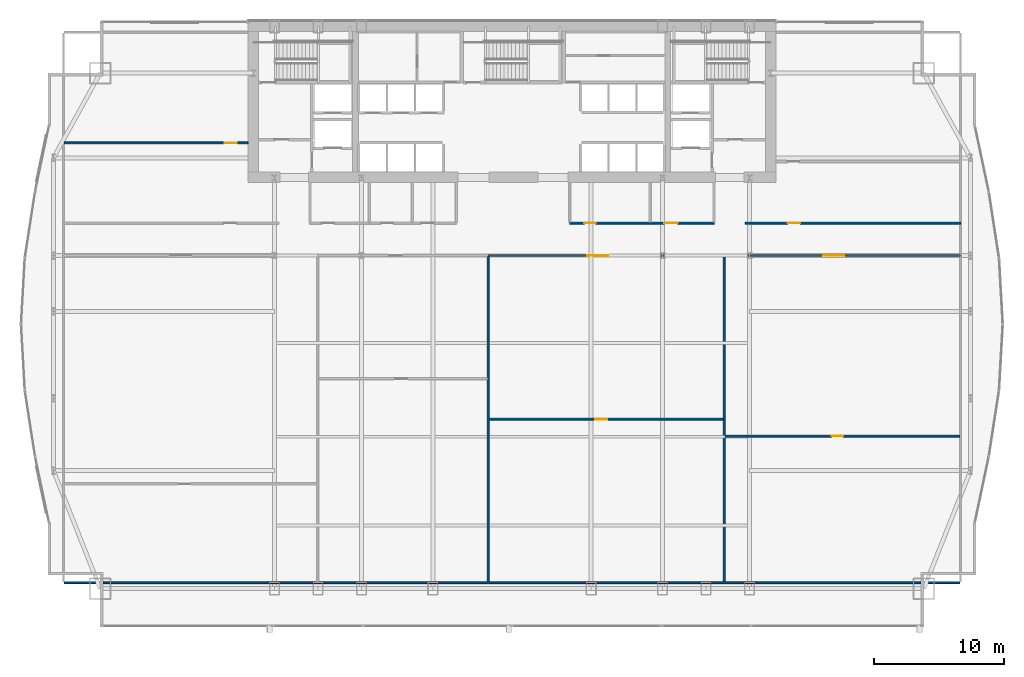
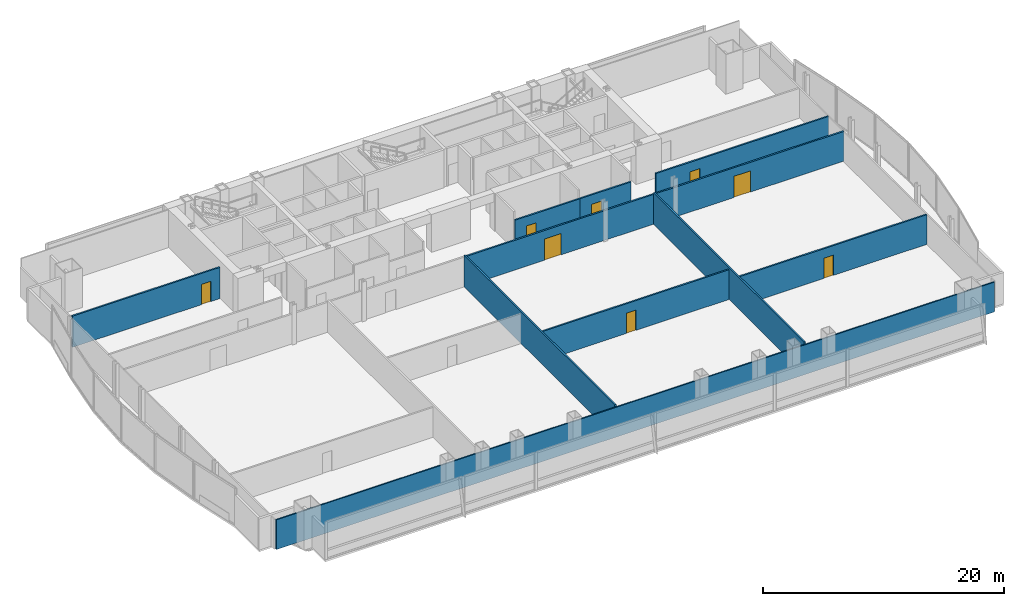
# One storey, part 29 of 35: 11 walls, 8 doors, 8 openings.
"""IFC4 building model written with IfcOpenShell, lengths in metres."""

from ifc_helpers import new_model, si_unit, direction, frame, frame_2d, origin, place, context, subcontext, project, spatial, rectangle, extrude, material, layer, layer_set, type_object, element, fill, save


model = new_model("IFC4")

# Units and contexts
model_context = context("Model", 3, precision=1e-05, world=origin(), true_north=direction((0.0, 1.0)))
body_context = subcontext(model_context, "Body", "Model", "MODEL_VIEW")
ifc_project = project(units=[si_unit("LENGTHUNIT", "METRE"), si_unit("AREAUNIT", "SQUARE_METRE"), si_unit("VOLUMEUNIT", "CUBIC_METRE"), si_unit("PLANEANGLEUNIT", "RADIAN"), si_unit("MASSUNIT", "GRAM", prefix="KILO")], contexts=[model_context])

# Site, building, storey
site_placement = place(None, origin())
site = spatial("IfcSite", under=ifc_project, at=site_placement, CompositionType="ELEMENT")
building_placement = place(site_placement, origin())
building = spatial("IfcBuilding", under=site, at=building_placement, Name="Khoronbel Lancet Exchange", CompositionType="ELEMENT")
storey_placement = place(building_placement, frame((0.0, 0.0, 53.800048828125)))
storey = spatial("IfcBuildingStorey", under=building, at=storey_placement, Name="L12", CompositionType="ELEMENT", Elevation=53.800048828125)

# Wall, opening, door
ifc_material_1 = material(Name="Acoustic Metal-Stud & Mineral-Wool Gypsum Partition 120 mm", Category="gypsum")
ifc_layer_1 = layer(ifc_material_1, 0.1201171875, Name="Acoustic Metal-Stud & Mineral-Wool Gypsum Partition 120 mm")
ifc_layer_set_1 = layer_set([ifc_layer_1], Name="Acoustic Metal-Stud & Mineral-Wool Gypsum Partition 120 mm")
wall_type_1 = type_object("IfcWallType", Name="WL-PRT120", PredefinedType="PARTITIONING", material=ifc_layer_set_1)
wall_1_placement = place(storey_placement, frame((2.094970703125, 44.35009765625, 0.0), z_axis=(0.0, 0.0, 1.0), x_axis=(1.0, 0.0, 0.0)))
wall_1 = element("IfcWall", 1, at=wall_1_placement, inside=storey, type_object=wall_type_1, Name="Level L12 interior partition PW-NW-H", PredefinedType="PARTITIONING", context=body_context, shape_type="SweptSolid", body=[
    extrude(rectangle(XDim=14.10498046875, YDim=0.14990234375, at=frame_2d((7.052490234375, 0.0))), origin(), (0.0, 0.0, 1.0), 3.159912109375),
])
opening_1_placement = place(wall_1_placement, frame((12.320068359375, 0.0, 0.0)))
opening_1 = element("IfcOpeningElement", 2, at=opening_1_placement, cuts=wall_1, Name="Opening D5", PredefinedType="OPENING", context=body_context, shape_type="SweptSolid", body=[
    extrude(rectangle(XDim=0.89990234375, YDim=2.050048828125, at=frame_2d((0.449951171875, 1.02490234375))), frame((0.0, 0.0849609375, 0.0), z_axis=(0.0, -1.0, 0.0), x_axis=(1.0, 0.0, 0.0)), (0.0, 0.0, 1.0), 0.169921875),
])
ifc_material_2 = material(Name="Acoustic Timber Pantry & Support Door", Category="wood")
door_type_1 = type_object("IfcDoorType", Name="DR-D5", OperationType="NOTDEFINED", PredefinedType="DOOR", material=ifc_material_2)
door_1_placement = place(opening_1_placement, origin())
door_1 = element("IfcDoor", 3, at=door_1_placement, inside=storey, type_object=door_type_1, Name="NW north room door L12-1", OperationType="SINGLE_SWING_RIGHT", OverallHeight=2.050048828125, OverallWidth=0.89990234375, PredefinedType="DOOR", context=body_context, shape_type="SweptSolid", body=[
    extrude(rectangle(XDim=0.89990234375, YDim=2.050048828125, at=frame_2d((0.449951171875, 1.02490234375))), frame((0.0, 0.02490234375, 0.0), z_axis=(0.0, -1.0, 0.0), x_axis=(1.0, 0.0, 0.0)), (0.0, 0.0, 1.0), 0.050048828125),
])
fill(opening_1, door_1)

wall_2_placement = place(storey_placement, frame((34.693115234375, 23.14990234375, 0.0), z_axis=(0.0, 0.0, 1.0), x_axis=(1.0, 0.0, 0.0)))
wall_2 = element("IfcWall", 4, at=wall_2_placement, inside=storey, type_object=wall_type_1, Name="Level L12 interior partition PW-Z1S-H3", PredefinedType="PARTITIONING", context=body_context, shape_type="SweptSolid", body=[
    extrude(rectangle(XDim=17.94677734375, YDim=0.14990234375, at=frame_2d((8.973388671875, 0.0))), origin(), (0.0, 0.0, 1.0), 3.010009765625),
])
opening_2_placement = place(wall_2_placement, frame((8.14794921875, 0.0, 0.0)))
opening_2 = element("IfcOpeningElement", 5, at=opening_2_placement, cuts=wall_2, Name="Opening D5", PredefinedType="OPENING", context=body_context, shape_type="SweptSolid", body=[
    extrude(rectangle(XDim=0.89990234375, YDim=2.050048828125, at=frame_2d((0.449951171875, 1.02490234375))), frame((0.0, 0.0849609375, 0.0), z_axis=(0.0, -1.0, 0.0), x_axis=(1.0, 0.0, 0.0)), (0.0, 0.0, 1.0), 0.169921875),
])
door_2_placement = place(opening_2_placement, origin())
door_2 = element("IfcDoor", 6, at=door_2_placement, inside=storey, type_object=door_type_1, Name="Z1S inner door 3 L12-1", OperationType="SINGLE_SWING_LEFT", OverallHeight=2.050048828125, OverallWidth=0.89990234375, PredefinedType="DOOR", context=body_context, shape_type="SweptSolid", body=[
    extrude(rectangle(XDim=0.89990234375, YDim=2.050048828125, at=frame_2d((0.449951171875, 1.02490234375))), frame((0.0, 0.02490234375, 0.0), z_axis=(0.0, -1.0, 0.0), x_axis=(1.0, 0.0, 0.0)), (0.0, 0.0, 1.0), 0.050048828125),
])
fill(opening_2, door_2)

wall_3_placement = place(storey_placement, frame((52.7998046875, 21.850341796875, 0.0), z_axis=(0.0, 0.0, 1.0), x_axis=(1.0, 0.0, 0.0)))
wall_3 = element("IfcWall", 7, at=wall_3_placement, inside=storey, type_object=wall_type_1, Name="Level L12 interior partition PW-Z1S-H4", PredefinedType="PARTITIONING", context=body_context, shape_type="SweptSolid", body=[
    extrude(rectangle(XDim=18.005126953125, YDim=0.14990234375, at=frame_2d((9.00244140625, 0.0))), origin(), (0.0, 0.0, 1.0), 3.010009765625),
])
opening_3_placement = place(wall_3_placement, frame((8.16748046875, 0.0, 0.0)))
opening_3 = element("IfcOpeningElement", 8, at=opening_3_placement, cuts=wall_3, Name="Opening D5", PredefinedType="OPENING", context=body_context, shape_type="SweptSolid", body=[
    extrude(rectangle(XDim=0.89990234375, YDim=2.050048828125, at=frame_2d((0.449951171875, 1.02490234375))), frame((0.0, 0.0849609375, 0.0), z_axis=(0.0, -1.0, 0.0), x_axis=(1.0, 0.0, 0.0)), (0.0, 0.0, 1.0), 0.169921875),
])
door_3_placement = place(opening_3_placement, origin())
door_3 = element("IfcDoor", 9, at=door_3_placement, inside=storey, type_object=door_type_1, Name="Z1S inner door 4 L12-1", OperationType="SINGLE_SWING_RIGHT", OverallHeight=2.050048828125, OverallWidth=0.89990234375, PredefinedType="DOOR", context=body_context, shape_type="SweptSolid", body=[
    extrude(rectangle(XDim=0.89990234375, YDim=2.050048828125, at=frame_2d((0.449951171875, 1.02490234375))), frame((0.0, 0.02490234375, 0.0), z_axis=(0.0, -1.0, 0.0), x_axis=(1.0, 0.0, 0.0)), (0.0, 0.0, 1.0), 0.050048828125),
])
fill(opening_3, door_3)

# Wall
wall_4_placement = place(storey_placement, frame((2.094970703125, 10.60009765625, 0.0), z_axis=(0.0, 0.0, 1.0), x_axis=(1.0, 0.0, 0.0)))
element("IfcWall", 10, at=wall_4_placement, inside=storey, type_object=wall_type_1, Name="Level L12 interior partition PW-LIN-S", PredefinedType="PARTITIONING", context=body_context, shape_type="SweptSolid", body=[
    extrude(rectangle(XDim=68.7099609375, YDim=0.1201171875, at=frame_2d((34.35498046875, 0.0))), origin(), (0.0, 0.0, 1.0), 3.010009765625),
])

# Wall, opening, door
ifc_material_3 = material(Name="Fire-Rated Twin-Stud Acoustic Gypsum Partition 150 mm", Category="gypsum")
ifc_layer_2 = layer(ifc_material_3, 0.14990234375, Name="Fire-Rated Twin-Stud Acoustic Gypsum Partition 150 mm")
ifc_layer_set_2 = layer_set([ifc_layer_2], Name="Fire-Rated Twin-Stud Acoustic Gypsum Partition 150 mm")
wall_type_2 = type_object("IfcWallType", Name="WL-PRT150C", PredefinedType="PARTITIONING", material=ifc_layer_set_2)
wall_5_placement = place(storey_placement, frame((40.8798828125, 38.199951171875, 0.0), z_axis=(0.0, 0.0, 1.0), x_axis=(1.0, 0.0, 0.0)))
wall_5 = element("IfcWall", 11, at=wall_5_placement, inside=storey, type_object=wall_type_2, Name="Level L12 interior partition PW-NP-S1", PredefinedType="PARTITIONING", context=body_context, shape_type="SweptSolid", body=[
    extrude(rectangle(XDim=6.170166015625, YDim=0.14990234375, at=frame_2d((3.0849609375, 0.0))), origin(), (0.0, 0.0, 1.0), 3.010009765625),
])
opening_4_placement = place(wall_5_placement, frame((1.10009765625, 0.0, 0.0)))
opening_4 = element("IfcOpeningElement", 12, at=opening_4_placement, cuts=wall_5, Name="Opening D5", PredefinedType="OPENING", context=body_context, shape_type="SweptSolid", body=[
    extrude(rectangle(XDim=0.89990234375, YDim=2.050048828125, at=frame_2d((0.449951171875, 1.02490234375))), frame((0.0, 0.0849609375, 0.0), z_axis=(0.0, -1.0, 0.0), x_axis=(1.0, 0.0, 0.0)), (0.0, 0.0, 1.0), 0.169921875),
])
door_4_placement = place(opening_4_placement, origin())
door_4 = element("IfcDoor", 13, at=door_4_placement, inside=storey, type_object=door_type_1, Name="Floor refreshment pantry door L12-1", OperationType="SINGLE_SWING_RIGHT", OverallHeight=2.050048828125, OverallWidth=0.89990234375, PredefinedType="DOOR", context=body_context, shape_type="SweptSolid", body=[
    extrude(rectangle(XDim=0.89990234375, YDim=2.050048828125, at=frame_2d((0.449951171875, 1.02490234375))), frame((0.0, 0.02490234375, 0.0), z_axis=(0.0, -1.0, 0.0), x_axis=(1.0, 0.0, 0.0)), (0.0, 0.0, 1.0), 0.050048828125),
])
fill(opening_4, door_4)

wall_6_placement = place(storey_placement, frame((47.050048828125, 38.199951171875, 0.0), z_axis=(0.0, 0.0, 1.0), x_axis=(1.0, 0.0, 0.0)))
wall_6 = element("IfcWall", 14, at=wall_6_placement, inside=storey, type_object=wall_type_2, Name="Level L12 interior partition PW-NP-S2", PredefinedType="PARTITIONING", context=body_context, shape_type="SweptSolid", body=[
    extrude(rectangle(XDim=4.89990234375, YDim=0.14990234375, at=frame_2d((2.449951171875, 0.0))), origin(), (0.0, 0.0, 1.0), 3.010009765625),
])
opening_5_placement = place(wall_6_placement, frame((1.10009765625, 0.0, 0.0)))
opening_5 = element("IfcOpeningElement", 15, at=opening_5_placement, cuts=wall_6, Name="Opening D2", PredefinedType="OPENING", context=body_context, shape_type="SweptSolid", body=[
    extrude(rectangle(XDim=1.0, YDim=2.050048828125, at=frame_2d((0.5, 1.02490234375))), frame((0.0, 0.0849609375, 0.0), z_axis=(0.0, -1.0, 0.0), x_axis=(1.0, 0.0, 0.0)), (0.0, 0.0, 1.0), 0.169921875),
])
ifc_material_4 = material(Name="Acoustic Veneered Timber & Bronze Frame Door", Category="wood")
door_type_2 = type_object("IfcDoorType", Name="DR-D2", OperationType="NOTDEFINED", PredefinedType="DOOR", material=ifc_material_4)
door_5_placement = place(opening_5_placement, origin())
door_5 = element("IfcDoor", 16, at=door_5_placement, inside=storey, type_object=door_type_2, Name="Floor store door L12-1", OperationType="SINGLE_SWING_LEFT", OverallHeight=2.050048828125, OverallWidth=1.0, PredefinedType="DOOR", context=body_context, shape_type="SweptSolid", body=[
    extrude(rectangle(XDim=1.0, YDim=2.050048828125, at=frame_2d((0.5, 1.02490234375))), frame((0.0, 0.02490234375, 0.0), z_axis=(0.0, -1.0, 0.0), x_axis=(1.0, 0.0, 0.0)), (0.0, 0.0, 1.0), 0.050048828125),
])
fill(opening_5, door_5)

wall_7_placement = place(storey_placement, frame((54.35009765625, 38.199951171875, 0.0), z_axis=(0.0, 0.0, 1.0), x_axis=(1.0, 0.0, 0.0)))
wall_7 = element("IfcWall", 17, at=wall_7_placement, inside=storey, type_object=wall_type_2, Name="Level L12 interior partition PW-NE-S", PredefinedType="PARTITIONING", context=body_context, shape_type="SweptSolid", body=[
    extrude(rectangle(XDim=16.52001953125, YDim=0.14990234375, at=frame_2d((8.260009765625, 0.0))), origin(), (0.0, 0.0, 1.0), 3.010009765625),
])
opening_6_placement = place(wall_7_placement, frame((3.25, 0.0, 0.0)))
opening_6 = element("IfcOpeningElement", 18, at=opening_6_placement, cuts=wall_7, Name="Opening D1", PredefinedType="OPENING", context=body_context, shape_type="SweptSolid", body=[
    extrude(rectangle(XDim=0.949951171875, YDim=2.050048828125, at=frame_2d((0.47509765625, 1.02490234375))), frame((0.0, 0.0849609375, 0.0), z_axis=(0.0, -1.0, 0.0), x_axis=(1.0, 0.0, 0.0)), (0.0, 0.0, 1.0), 0.169921875),
])
door_type_3 = type_object("IfcDoorType", Name="DR-D1", OperationType="NOTDEFINED", PredefinedType="DOOR", material=ifc_material_4)
door_6_placement = place(opening_6_placement, origin())
door_6 = element("IfcDoor", 19, at=door_6_placement, inside=storey, type_object=door_type_3, Name="NE corner room door L12-1", OperationType="SINGLE_SWING_LEFT", OverallHeight=2.050048828125, OverallWidth=0.949951171875, PredefinedType="DOOR", context=body_context, shape_type="SweptSolid", body=[
    extrude(rectangle(XDim=0.949951171875, YDim=2.050048828125, at=frame_2d((0.47509765625, 1.02490234375))), frame((0.0, 0.02490234375, 0.0), z_axis=(0.0, -1.0, 0.0), x_axis=(1.0, 0.0, 0.0)), (0.0, 0.0, 1.0), 0.050048828125),
])
fill(opening_6, door_6)

# Walls
for number, where, z_axis, x_axis, name in (
    (20, (34.61328125, 10.6650390625, 0.0), (0.0, 0.0, 1.0), (0.0, 1.0, 0.0), "Level L12 interior partition PW-Z1S-V2"),
    (21, (52.7197265625, 10.6650390625, 0.0), (0.0, 0.0, 1.0), (0.0, 1.0, 0.0), "Level L12 interior partition PW-Z1S-V3"),
):
    element("IfcWall", number, at=place(storey_placement, frame(where, z_axis=z_axis, x_axis=x_axis)), inside=storey, type_object=wall_type_2, Name=name, PredefinedType="PARTITIONING", context=body_context, shape_type="SweptSolid", body=[
        extrude(rectangle(XDim=24.949951171875, YDim=0.14990234375, at=frame_2d((12.47509765625, 0.0))), origin(), (0.0, 0.0, 1.0), 3.2099609375),
    ])

# Wall, opening, door
ifc_material_5 = material(Name="Fire-Rated Twin-Stud Acoustic Gypsum Partition 160 mm", Category="gypsum")
ifc_layer_3 = layer(ifc_material_5, 0.159912109375, Name="Fire-Rated Twin-Stud Acoustic Gypsum Partition 160 mm")
ifc_layer_set_3 = layer_set([ifc_layer_3], Name="Fire-Rated Twin-Stud Acoustic Gypsum Partition 160 mm")
wall_type_3 = type_object("IfcWallType", Name="WL-PRT160C", PredefinedType="PARTITIONING", material=ifc_layer_set_3)
wall_8_placement = place(storey_placement, frame((34.61328125, 35.699951171875, 0.0), z_axis=(0.0, 0.0, 1.0), x_axis=(1.0, 0.0, 0.0)))
wall_8 = element("IfcWall", 22, at=wall_8_placement, inside=storey, type_object=wall_type_3, Name="Level L12 interior partition PW-Z1S-COR3", PredefinedType="PARTITIONING", context=body_context, shape_type="SweptSolid", body=[
    extrude(rectangle(XDim=18.1064453125, YDim=0.159912109375, at=frame_2d((9.05322265625, 0.0))), origin(), (0.0, 0.0, 1.0), 3.010009765625),
])
opening_7_placement = place(wall_8_placement, frame((7.604736328125, 0.0, 0.0)))
opening_7 = element("IfcOpeningElement", 23, at=opening_7_placement, cuts=wall_8, Name="Opening D3", PredefinedType="OPENING", context=body_context, shape_type="SweptSolid", body=[
    extrude(rectangle(XDim=1.60009765625, YDim=2.14990234375, at=frame_2d((0.800048828125, 1.074951171875))), frame((0.0, 0.08984375, 0.0), z_axis=(0.0, -1.0, 0.0), x_axis=(1.0, 0.0, 0.0)), (0.0, 0.0, 1.0), 0.179931640625),
])
ifc_material_6 = material(Name="Glazed Bronze-Framed Double Suite Door", Category="aluminium")
door_type_4 = type_object("IfcDoorType", Name="DR-D3", OperationType="NOTDEFINED", PredefinedType="DOOR", material=ifc_material_6)
door_7_placement = place(opening_7_placement, origin())
door_7 = element("IfcDoor", 24, at=door_7_placement, inside=storey, type_object=door_type_4, Name="Z1S bay 3 door L12-1", OperationType="DOUBLE_DOOR_SINGLE_SWING", OverallHeight=2.14990234375, OverallWidth=1.60009765625, PredefinedType="DOOR", context=body_context, shape_type="SweptSolid", body=[
    extrude(rectangle(XDim=1.60009765625, YDim=2.14990234375, at=frame_2d((0.800048828125, 1.074951171875))), frame((0.0, 0.02490234375, 0.0), z_axis=(0.0, -1.0, 0.0), x_axis=(1.0, 0.0, 0.0)), (0.0, 0.0, 1.0), 0.050048828125),
])
fill(opening_7, door_7)

wall_9_placement = place(storey_placement, frame((52.7197265625, 35.699951171875, 0.0), z_axis=(0.0, 0.0, 1.0), x_axis=(1.0, 0.0, 0.0)))
wall_9 = element("IfcWall", 25, at=wall_9_placement, inside=storey, type_object=wall_type_3, Name="Level L12 interior partition PW-Z1S-COR4", PredefinedType="PARTITIONING", context=body_context, shape_type="SweptSolid", body=[
    extrude(rectangle(XDim=18.150390625, YDim=0.159912109375, at=frame_2d((9.0751953125, 0.0))), origin(), (0.0, 0.0, 1.0), 3.010009765625),
])
opening_8_placement = place(wall_9_placement, frame((7.623046875, 0.0, 0.0)))
opening_8 = element("IfcOpeningElement", 26, at=opening_8_placement, cuts=wall_9, Name="Opening D3", PredefinedType="OPENING", context=body_context, shape_type="SweptSolid", body=[
    extrude(rectangle(XDim=1.60009765625, YDim=2.14990234375, at=frame_2d((0.800048828125, 1.074951171875))), frame((0.0, 0.08984375, 0.0), z_axis=(0.0, -1.0, 0.0), x_axis=(1.0, 0.0, 0.0)), (0.0, 0.0, 1.0), 0.179931640625),
])
door_8_placement = place(opening_8_placement, origin())
door_8 = element("IfcDoor", 27, at=door_8_placement, inside=storey, type_object=door_type_4, Name="Z1S bay 4 door L12-1", OperationType="DOUBLE_DOOR_SINGLE_SWING", OverallHeight=2.14990234375, OverallWidth=1.60009765625, PredefinedType="DOOR", context=body_context, shape_type="SweptSolid", body=[
    extrude(rectangle(XDim=1.60009765625, YDim=2.14990234375, at=frame_2d((0.800048828125, 1.074951171875))), frame((0.0, 0.02490234375, 0.0), z_axis=(0.0, -1.0, 0.0), x_axis=(1.0, 0.0, 0.0)), (0.0, 0.0, 1.0), 0.050048828125),
])
fill(opening_8, door_8)

save(model, "model.ifc")
